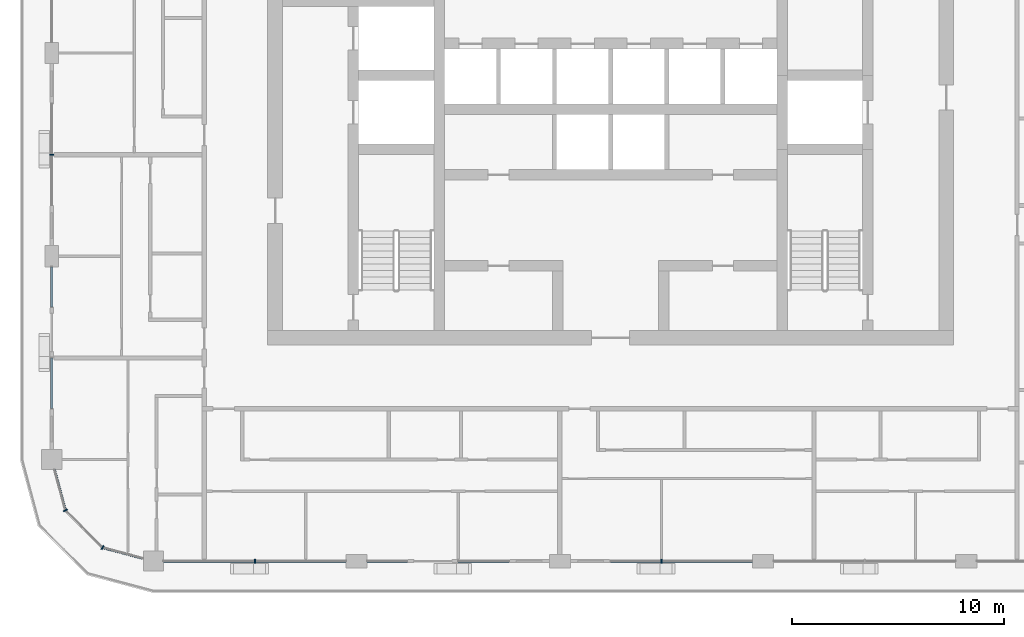
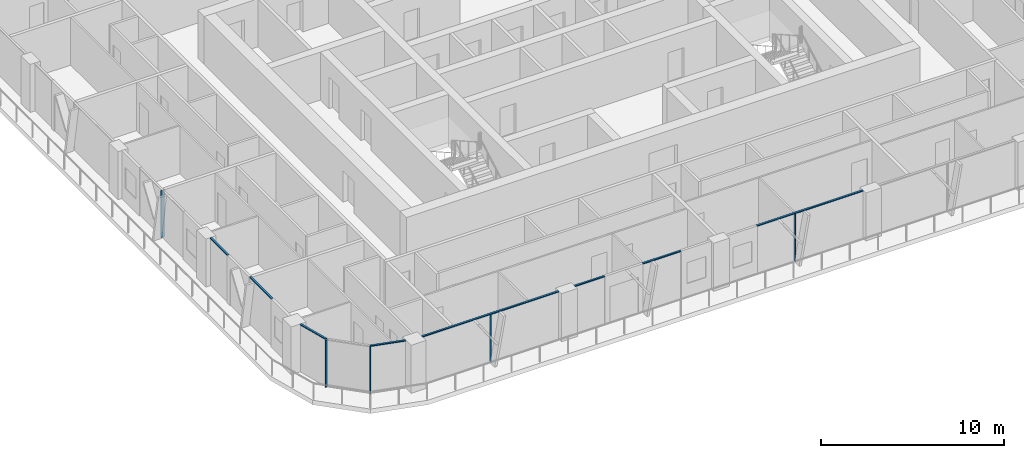
# One storey, part 2 of 22: 13 members, 6 elements without a shape of their own.
"""IFC4 building model written with IfcOpenShell, lengths in metres."""

from ifc_helpers import new_model, si_unit, direction, frame, origin, origin_2d, place, context, subcontext, project, spatial, rectangle, extrude, material, layer, layer_set, material_profile, profile_set, type_object, element, aggregate, save


model = new_model("IFC4")

# Units and contexts
model_context = context("Model", 3, precision=1e-05, world=origin(), true_north=direction((0.0, 1.0)))
body_context = subcontext(model_context, "Body", "Model", "MODEL_VIEW")
ifc_project = project(units=[si_unit("LENGTHUNIT", "METRE"), si_unit("AREAUNIT", "SQUARE_METRE"), si_unit("VOLUMEUNIT", "CUBIC_METRE"), si_unit("PLANEANGLEUNIT", "RADIAN"), si_unit("MASSUNIT", "GRAM", prefix="KILO")], contexts=[model_context])

# Site, building, storey
site_placement = place(None, origin())
site = spatial("IfcSite", under=ifc_project, at=site_placement, CompositionType="ELEMENT")
building_placement = place(site_placement, origin())
building = spatial("IfcBuilding", under=site, at=building_placement, Name="Madar Terraces", CompositionType="ELEMENT")
storey_placement = place(building_placement, frame((0.0, 0.0, 208.800048828125)))
storey = spatial("IfcBuildingStorey", under=building, at=storey_placement, Name="L54", CompositionType="ELEMENT", Elevation=208.800048828125)

# Curtain wall, member
ifc_material_1 = material(Name="Glass, ceramic frit dark grey, with black aluminium frame", Category="aluminium")
ifc_layer = layer(ifc_material_1, 0.199951171875)
ifc_layer_set = layer_set([ifc_layer], Name="Facade curtain wall, fritted glass")
curtain_wall_type = type_object("IfcCurtainWallType", Name="Facade curtain wall, fritted glass", PredefinedType="NOTDEFINED", material=ifc_layer_set)
curtain_wall_1_placement = place(storey_placement, origin())
curtain_wall_1 = element("IfcCurtainWall", 1, at=curtain_wall_1_placement, inside=storey, type_object=curtain_wall_type, Name="Outer skin curtain wall south bay 1", PredefinedType="NOTDEFINED")
ifc_material_2 = material(Name="Aluminium, black anodised", Category="aluminium")
ifc_material_profile_1 = material_profile(ifc_material_2, rectangle(XDim=0.199951171875, YDim=0.06005859375, at=origin_2d()), Name="Facade mullion 60x200")
ifc_profile_set_1 = profile_set([ifc_material_profile_1], Name="Aluminium, black anodised")
member_type_1 = type_object("IfcMemberType", Name="Facade mullion 60x200", PredefinedType="MULLION", material=ifc_profile_set_1)
member_1_placement = place(storey_placement, frame((14.39990234375, 4.800048828125, 0.0), z_axis=(0.0, 0.0, 1.0), x_axis=(0.0, 1.0, 0.0)))
member_1 = element("IfcMember", 2, at=member_1_placement, type_object=member_type_1, Name="Mullion 1", PredefinedType="MULLION", context=body_context, shape_type="SweptSolid", body=[
    extrude(rectangle(XDim=0.199951171875, YDim=0.06005859375, at=origin_2d()), origin(), (0.0, 0.0, 1.0), 3.139892578125),
])

curtain_wall_2_placement = place(storey_placement, origin())
curtain_wall_2 = element("IfcCurtainWall", 3, at=curtain_wall_2_placement, inside=storey, type_object=curtain_wall_type, Name="Outer skin curtain wall south bay 3", PredefinedType="NOTDEFINED")
member_2_placement = place(storey_placement, frame((33.60009765625, 4.800048828125, 0.0), z_axis=(0.0, 0.0, 1.0), x_axis=(0.0, 1.0, 0.0)))
member_2 = element("IfcMember", 4, at=member_2_placement, type_object=member_type_1, Name="Mullion 1", PredefinedType="MULLION", context=body_context, shape_type="SweptSolid", body=[
    extrude(rectangle(XDim=0.199951171875, YDim=0.06005859375, at=origin_2d()), origin(), (0.0, 0.0, 1.0), 3.139892578125),
])

curtain_wall_3_placement = place(storey_placement, origin())
curtain_wall_3 = element("IfcCurtainWall", 5, at=curtain_wall_3_placement, inside=storey, type_object=curtain_wall_type, Name="Outer skin curtain wall west bay 3", PredefinedType="NOTDEFINED")
member_3_placement = place(storey_placement, frame((4.800048828125, 24.0, 0.0), z_axis=(0.0, 0.0, 1.0), x_axis=(1.0, 0.0, 0.0)))
member_3 = element("IfcMember", 6, at=member_3_placement, type_object=member_type_1, Name="Mullion 1", PredefinedType="MULLION", context=body_context, shape_type="SweptSolid", body=[
    extrude(rectangle(XDim=0.199951171875, YDim=0.06005859375, at=origin_2d()), origin(), (0.0, 0.0, 1.0), 3.139892578125),
])
aggregate(curtain_wall_3, [member_3])

# Curtain wall, members
curtain_wall_4_placement = place(storey_placement, origin())
curtain_wall_4 = element("IfcCurtainWall", 7, at=curtain_wall_4_placement, inside=storey, type_object=curtain_wall_type, Name="Outer skin curtain wall south-west corner", PredefinedType="NOTDEFINED")
member_4_placement = place(storey_placement, frame((5.443115234375, 7.199951171875, 0.0), z_axis=(0.0, 0.0, 1.0), x_axis=(0.866025409797, 0.499999989586, 0.0)))
member_4 = element("IfcMember", 8, at=member_4_placement, type_object=member_type_1, Name="Mullion 1", PredefinedType="MULLION", context=body_context, shape_type="SweptSolid", body=[
    extrude(rectangle(XDim=0.199951171875, YDim=0.06005859375, at=origin_2d()), origin(), (0.0, 0.0, 1.0), 3.139892578125),
])
member_5_placement = place(storey_placement, frame((7.199951171875, 5.443115234375, 0.0), z_axis=(0.0, 0.0, 1.0), x_axis=(0.499999989586, 0.866025409797, 0.0)))
member_5 = element("IfcMember", 9, at=member_5_placement, type_object=member_type_1, Name="Mullion 2", PredefinedType="MULLION", context=body_context, shape_type="SweptSolid", body=[
    extrude(rectangle(XDim=0.199951171875, YDim=0.06005859375, at=origin_2d()), origin(), (0.0, 0.0, 1.0), 3.139892578125),
])

# Member
ifc_material_3 = material(Name="Aluminium, black anodised", Category="aluminium")
ifc_material_profile_2 = material_profile(ifc_material_3, rectangle(XDim=0.1201171875, YDim=0.06005859375, at=origin_2d()), Name="Facade transom 60x120")
ifc_profile_set_2 = profile_set([ifc_material_profile_2], Name="Aluminium, black anodised")
member_type_2 = type_object("IfcMemberType", Name="Facade transom 60x120", PredefinedType="USERDEFINED", material=ifc_profile_set_2)
member_6_placement = place(storey_placement, frame((10.074951171875, 4.800048828125, 3.169921875), z_axis=(1.0, 0.0, 0.0), x_axis=(0.0, 1.0, 0.0)))
member_6 = element("IfcMember", 10, at=member_6_placement, type_object=member_type_2, Name="Transom 1", ObjectType="TRANSOM", PredefinedType="USERDEFINED", context=body_context, shape_type="SweptSolid", body=[
    extrude(rectangle(XDim=0.1201171875, YDim=0.06005859375, at=origin_2d()), origin(), (0.0, 0.0, 1.0), 8.625),
])

aggregate(curtain_wall_1, [member_1, member_6])

# Curtain wall, members
curtain_wall_5_placement = place(storey_placement, origin())
curtain_wall_5 = element("IfcCurtainWall", 11, at=curtain_wall_5_placement, inside=storey, type_object=curtain_wall_type, Name="Outer skin curtain wall south bay 2", PredefinedType="NOTDEFINED")
member_7_placement = place(storey_placement, frame((19.699951171875, 4.800048828125, 3.169921875), z_axis=(1.0, 0.0, 0.0), x_axis=(0.0, 1.0, 0.0)))
member_7 = element("IfcMember", 12, at=member_7_placement, type_object=member_type_2, Name="Transom 1", ObjectType="TRANSOM", PredefinedType="USERDEFINED", context=body_context, shape_type="SweptSolid", body=[
    extrude(rectangle(XDim=0.1201171875, YDim=0.06005859375, at=origin_2d()), origin(), (0.0, 0.0, 1.0), 1.900146484375),
])
member_8_placement = place(storey_placement, frame((24.0, 4.800048828125, 3.169921875), z_axis=(1.0, 0.0, 0.0), x_axis=(0.0, 1.0, 0.0)))
member_8 = element("IfcMember", 13, at=member_8_placement, type_object=member_type_2, Name="Transom 2", ObjectType="TRANSOM", PredefinedType="USERDEFINED", context=body_context, shape_type="SweptSolid", body=[
    extrude(rectangle(XDim=0.1201171875, YDim=0.06005859375, at=origin_2d()), origin(), (0.0, 0.0, 1.0), 2.39990234375),
])
aggregate(curtain_wall_5, [member_7, member_8])

# Member
member_9_placement = place(storey_placement, frame((31.199951171875, 4.800048828125, 3.169921875), z_axis=(1.0, 0.0, 0.0), x_axis=(0.0, 1.0, 0.0)))
member_9 = element("IfcMember", 14, at=member_9_placement, type_object=member_type_2, Name="Transom 1", ObjectType="TRANSOM", PredefinedType="USERDEFINED", context=body_context, shape_type="SweptSolid", body=[
    extrude(rectangle(XDim=0.1201171875, YDim=0.06005859375, at=origin_2d()), origin(), (0.0, 0.0, 1.0), 6.699951171875),
])

aggregate(curtain_wall_2, [member_2, member_9])

# Curtain wall, members
curtain_wall_6_placement = place(storey_placement, origin())
curtain_wall_6 = element("IfcCurtainWall", 15, at=curtain_wall_6_placement, inside=storey, type_object=curtain_wall_type, Name="Outer skin curtain wall west bay 4", PredefinedType="NOTDEFINED")
member_10_placement = place(storey_placement, frame((4.800048828125, 18.699951171875, 3.169921875), z_axis=(0.0, -1.0, 0.0), x_axis=(1.0, 0.0, 0.0)))
member_10 = element("IfcMember", 16, at=member_10_placement, type_object=member_type_2, Name="Transom 1", ObjectType="TRANSOM", PredefinedType="USERDEFINED", context=body_context, shape_type="SweptSolid", body=[
    extrude(rectangle(XDim=0.1201171875, YDim=0.06005859375, at=origin_2d()), origin(), (0.0, 0.0, 1.0), 1.89990234375),
])
member_11_placement = place(storey_placement, frame((4.800048828125, 14.39990234375, 3.169921875), z_axis=(0.0, -1.0, 0.0), x_axis=(1.0, 0.0, 0.0)))
member_11 = element("IfcMember", 17, at=member_11_placement, type_object=member_type_2, Name="Transom 2", ObjectType="TRANSOM", PredefinedType="USERDEFINED", context=body_context, shape_type="SweptSolid", body=[
    extrude(rectangle(XDim=0.1201171875, YDim=0.06005859375, at=origin_2d()), origin(), (0.0, 0.0, 1.0), 2.39990234375),
])
aggregate(curtain_wall_6, [member_10, member_11])

# Member
member_12_placement = place(storey_placement, frame((4.92724609375, 9.125, 3.169921875), z_axis=(0.258831412352, -0.96592251241, 0.0), x_axis=(0.96592251241, 0.258831412352, 0.0)))
member_12 = element("IfcMember", 18, at=member_12_placement, type_object=member_type_2, Name="Transom 1", ObjectType="TRANSOM", PredefinedType="USERDEFINED", context=body_context, shape_type="SweptSolid", body=[
    extrude(rectangle(XDim=0.1201171875, YDim=0.06005859375, at=origin_2d()), origin(), (0.0, 0.0, 1.0), 1.962890625),
])

member_13_placement = place(storey_placement, frame((7.22900390625, 5.435302734375, 3.169921875), z_axis=(0.96592251241, -0.258831412352, 0.0), x_axis=(0.258831412352, 0.96592251241, 0.0)))
member_13 = element("IfcMember", 19, at=member_13_placement, type_object=member_type_2, Name="Transom 3", ObjectType="TRANSOM", PredefinedType="USERDEFINED", context=body_context, shape_type="SweptSolid", body=[
    extrude(rectangle(XDim=0.1201171875, YDim=0.06005859375, at=origin_2d()), origin(), (0.0, 0.0, 1.0), 1.962890625),
])

aggregate(curtain_wall_4, [member_4, member_12, member_5, member_13])

save(model, "model.ifc")
